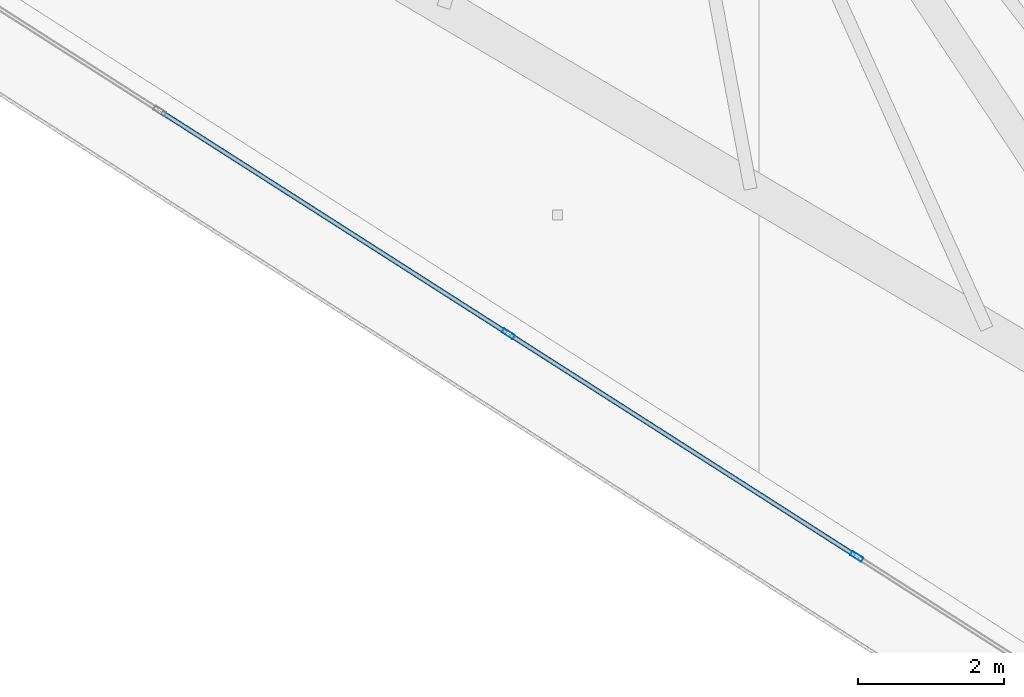
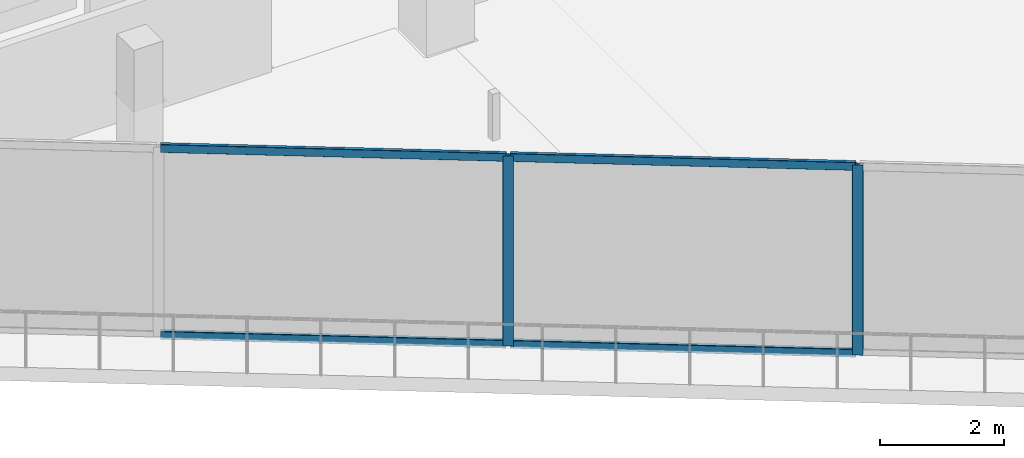
# One storey, part 3 of 34: 6 members, 1 element without a shape of its own.
"""IFC4 building model written with IfcOpenShell, lengths in metres."""

from ifc_helpers import new_model, si_unit, direction, frame, origin, origin_2d, place, context, subcontext, project, spatial, hollow_rectangle, extrude, material, layer, layer_set, material_profile, profile_set, type_object, element, aggregate, save


model = new_model("IFC4")

# Units and contexts
model_context = context("Model", 3, precision=1e-05, world=origin(), true_north=direction((0.0, 1.0)))
body_context = subcontext(model_context, "Body", "Model", "MODEL_VIEW")
ifc_project = project(units=[si_unit("LENGTHUNIT", "METRE"), si_unit("AREAUNIT", "SQUARE_METRE"), si_unit("VOLUMEUNIT", "CUBIC_METRE"), si_unit("PLANEANGLEUNIT", "RADIAN"), si_unit("MASSUNIT", "GRAM", prefix="KILO")], contexts=[model_context])

# Site, building, storey
site_placement = place(None, origin())
site = spatial("IfcSite", under=ifc_project, at=site_placement, CompositionType="ELEMENT")
building_placement = place(site_placement, origin())
building = spatial("IfcBuilding", under=site, at=building_placement, Name="Qorvath Tower", CompositionType="ELEMENT")
storey_placement = place(building_placement, frame((0.0, 0.0, 245.550048828125)))
storey = spatial("IfcBuildingStorey", under=building, at=storey_placement, Name="L57", CompositionType="ELEMENT", Elevation=245.550048828125)

# Curtain wall, members
ifc_material_1 = material(Name="Anodised aluminium and triple low-E glass", Category="aluminium")
ifc_layer = layer(ifc_material_1, 0.179931640625)
ifc_layer_set = layer_set([ifc_layer], Name="CW-SYS-3")
curtain_wall_type = type_object("IfcCurtainWallType", Name="CW-SYS-3", PredefinedType="NOTDEFINED", material=ifc_layer_set)
curtain_wall_placement = place(storey_placement, origin())
curtain_wall = element("IfcCurtainWall", 1, at=curtain_wall_placement, inside=storey, type_object=curtain_wall_type, Name="Curtain Wall CW-3 CW-T-L57-2.2", PredefinedType="NOTDEFINED")
ifc_material_2 = material(Name="Anodised aluminium 6063-T6", Category="aluminium")
ifc_material_profile_1 = material_profile(ifc_material_2, hollow_rectangle(XDim=0.06494140625, YDim=0.179931640625, WallThickness=0.00341796875, InnerFilletRadius=0.00341796875, OuterFilletRadius=0.007080078125, at=origin_2d()), Name="CWM 180x65")
ifc_profile_set_1 = profile_set([ifc_material_profile_1], Name="Anodised aluminium 6063-T6")
member_type_1 = type_object("IfcMemberType", Name="CWM-180", PredefinedType="MULLION", material=ifc_profile_set_1)
member_1_placement = place(storey_placement, frame((-26.966064453125, -19.5947265625, 0.0), z_axis=(0.0, 0.0, 1.0), x_axis=(0.538530320734, 0.84260613198, 0.0)))
member_1 = element("IfcMember", 2, at=member_1_placement, type_object=member_type_1, Name="CW-3 mullion 3", PredefinedType="MULLION", context=body_context, shape_type="SweptSolid", body=[
    extrude(hollow_rectangle(XDim=0.06494140625, YDim=0.179931640625, WallThickness=0.00341796875, InnerFilletRadius=0.00341796875, OuterFilletRadius=0.007080078125, at=origin_2d()), origin(), (0.0, 0.0, 1.0), 3.75),
])
member_2_placement = place(storey_placement, frame((-22.202392578125, -22.63916015625, 0.0), z_axis=(0.0, 0.0, 1.0), x_axis=(0.538530320734, 0.84260613198, 0.0)))
member_2 = element("IfcMember", 3, at=member_2_placement, type_object=member_type_1, Name="CW-3 mullion 4", PredefinedType="MULLION", context=body_context, shape_type="SweptSolid", body=[
    extrude(hollow_rectangle(XDim=0.06494140625, YDim=0.179931640625, WallThickness=0.00341796875, InnerFilletRadius=0.00341796875, OuterFilletRadius=0.007080078125, at=origin_2d()), origin(), (0.0, 0.0, 1.0), 3.75),
])
ifc_material_3 = material(Name="Anodised aluminium 6063-T6", Category="aluminium")
ifc_material_profile_2 = material_profile(ifc_material_3, hollow_rectangle(XDim=0.06494140625, YDim=0.159912109375, WallThickness=0.00341796875, InnerFilletRadius=0.00341796875, OuterFilletRadius=0.007080078125, at=origin_2d()), Name="CWT 160x65")
ifc_profile_set_2 = profile_set([ifc_material_profile_2], Name="Anodised aluminium 6063-T6")
member_type_2 = type_object("IfcMemberType", Name="CWT-160", PredefinedType="USERDEFINED", material=ifc_profile_set_2)
member_3_placement = place(storey_placement, frame((-31.7021484375, -16.567626953125, 0.032470703125), z_axis=(0.842602097229, -0.538536633615, 0.0), x_axis=(0.538536633615, 0.842602097229, 0.0)))
member_3 = element("IfcMember", 4, at=member_3_placement, type_object=member_type_2, Name="CW-3 transom 2.1", ObjectType="TRANSOM", PredefinedType="USERDEFINED", context=body_context, shape_type="SweptSolid", body=[
    extrude(hollow_rectangle(XDim=0.06494140625, YDim=0.159912109375, WallThickness=0.00341796875, InnerFilletRadius=0.00341796875, OuterFilletRadius=0.007080078125, at=origin_2d()), origin(), (0.0, 0.0, 1.0), 5.58837890625),
])
member_4_placement = place(storey_placement, frame((-31.7021484375, -16.567626953125, 3.717529296875), z_axis=(0.842602097229, -0.538536633615, 0.0), x_axis=(0.538536633615, 0.842602097229, 0.0)))
member_4 = element("IfcMember", 5, at=member_4_placement, type_object=member_type_2, Name="CW-3 transom 2.2", ObjectType="TRANSOM", PredefinedType="USERDEFINED", context=body_context, shape_type="SweptSolid", body=[
    extrude(hollow_rectangle(XDim=0.06494140625, YDim=0.159912109375, WallThickness=0.00341796875, InnerFilletRadius=0.00341796875, OuterFilletRadius=0.007080078125, at=origin_2d()), origin(), (0.0, 0.0, 1.0), 5.58837890625),
])
member_5_placement = place(storey_placement, frame((-26.9384765625, -19.6123046875, 0.032470703125), z_axis=(0.842602097229, -0.538536633615, 0.0), x_axis=(0.538536633615, 0.842602097229, 0.0)))
member_5 = element("IfcMember", 6, at=member_5_placement, type_object=member_type_2, Name="CW-3 transom 3.1", ObjectType="TRANSOM", PredefinedType="USERDEFINED", context=body_context, shape_type="SweptSolid", body=[
    extrude(hollow_rectangle(XDim=0.06494140625, YDim=0.159912109375, WallThickness=0.00341796875, InnerFilletRadius=0.00341796875, OuterFilletRadius=0.007080078125, at=origin_2d()), origin(), (0.0, 0.0, 1.0), 5.58837890625),
])
member_6_placement = place(storey_placement, frame((-26.9384765625, -19.6123046875, 3.717529296875), z_axis=(0.842602097229, -0.538536633615, 0.0), x_axis=(0.538536633615, 0.842602097229, 0.0)))
member_6 = element("IfcMember", 7, at=member_6_placement, type_object=member_type_2, Name="CW-3 transom 3.2", ObjectType="TRANSOM", PredefinedType="USERDEFINED", context=body_context, shape_type="SweptSolid", body=[
    extrude(hollow_rectangle(XDim=0.06494140625, YDim=0.159912109375, WallThickness=0.00341796875, InnerFilletRadius=0.00341796875, OuterFilletRadius=0.007080078125, at=origin_2d()), origin(), (0.0, 0.0, 1.0), 5.58837890625),
])
aggregate(curtain_wall, [member_1, member_2, member_3, member_4, member_5, member_6])

save(model, "model.ifc")
